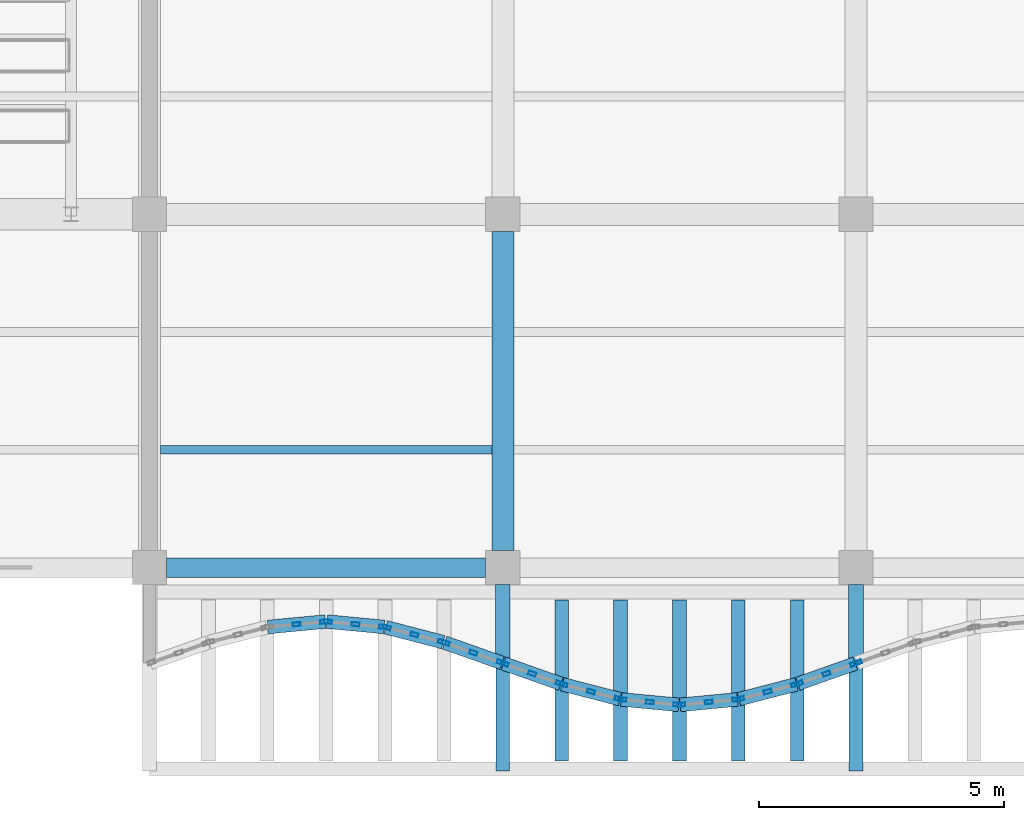
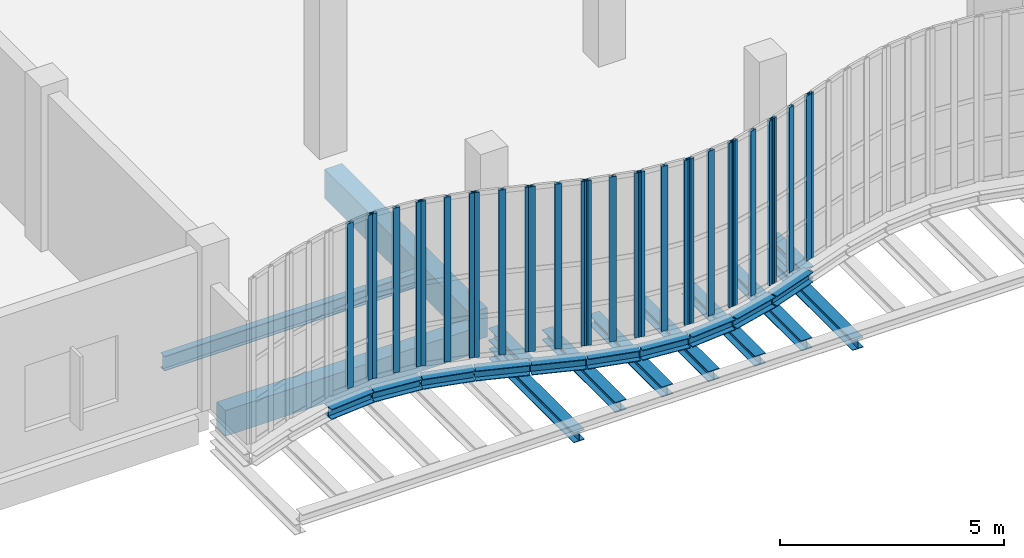
# One storey, part 13 of 108: 30 members, 22 beams, 11 elements without a shape of their own.
"""IFC4 building model written with IfcOpenShell, lengths in metres."""

from ifc_helpers import new_model, si_unit, direction, frame, origin, origin_2d, place, context, subcontext, project, spatial, rectangle, hollow_rectangle, i_section, extrude, material, layer, layer_set, material_profile, profile_set, type_object, element, aggregate, save


model = new_model("IFC4")

# Units and contexts
model_context = context("Model", 3, precision=1e-05, world=origin(), true_north=direction((0.0, 1.0)))
body_context = subcontext(model_context, "Body", "Model", "MODEL_VIEW")
ifc_project = project(units=[si_unit("LENGTHUNIT", "METRE"), si_unit("AREAUNIT", "SQUARE_METRE"), si_unit("VOLUMEUNIT", "CUBIC_METRE"), si_unit("PLANEANGLEUNIT", "RADIAN"), si_unit("MASSUNIT", "GRAM", prefix="KILO"), si_unit("THERMODYNAMICTEMPERATUREUNIT", "KELVIN"), si_unit("POWERUNIT", "WATT")], contexts=[model_context])

# Site, building, storey
site_placement = place(None, origin())
site = spatial("IfcSite", under=ifc_project, at=site_placement, CompositionType="ELEMENT")
building_placement = place(site_placement, origin())
building = spatial("IfcBuilding", under=site, at=building_placement, Name="Kaldorven Railside Theatre", CompositionType="ELEMENT")
storey_placement = place(building_placement, frame((0.0, 0.0, 5.39990234375)))
storey = spatial("IfcBuildingStorey", under=building, at=storey_placement, Name="L01", CompositionType="ELEMENT", Elevation=5.39990234375)

# Beams
ifc_material_1 = material(Name="Steel S355", Category="steel")
ifc_material_profile_1 = material_profile(ifc_material_1, i_section(OverallWidth=0.280029296875, OverallDepth=0.280029296875, WebThickness=0.010498046875, FlangeThickness=0.01806640625, at=origin_2d()), Name="HEB 280")
ifc_profile_set_1 = profile_set([ifc_material_profile_1], Name="Steel S355")
beam_type_1 = type_object("IfcBeamType", Name="BM-HEB280", PredefinedType="SPANDREL", material=ifc_profile_set_1)
for number, where, z_axis, x_axis, name in (
    (1, (44.0, 15.050048828125, -1.0), (0.0, 1.0, 0.0), (-1.0, 0.0, 0.0), "L01 Sinusoidal Lower Cantilever Girder FOB-K002"),
    (2, (51.199951171875, 15.050048828125, -1.0), (0.0, 1.0, 0.0), (-1.0, 0.0, 0.0), "L01 Sinusoidal Lower Cantilever Girder FOB-K003"),
):
    element("IfcBeam", number, at=place(storey_placement, frame(where, z_axis=z_axis, x_axis=x_axis)), inside=storey, type_object=beam_type_1, Name=name, PredefinedType="SPANDREL", context=body_context, shape_type="SweptSolid", body=[
        extrude(i_section(OverallWidth=0.280029296875, OverallDepth=0.280029296875, WebThickness=0.010498046875, FlangeThickness=0.01806640625, at=origin_2d()), origin(), (0.0, 0.0, 1.0), 3.800048828125),
    ])
beam_1_placement = place(storey_placement, frame((39.21484375, 17.987548828125, -0.43994140625), z_axis=(0.99552436473, 0.094505233873, 0.0), x_axis=(-0.094505233873, 0.99552436473, 0.0)))
element("IfcBeam", 3, at=beam_1_placement, inside=storey, type_object=beam_type_1, Name="L01 Sinusoidal Flute Edge Spandrel FSB-003", PredefinedType="SPANDREL", context=body_context, shape_type="SweptSolid", body=[
    extrude(i_section(OverallWidth=0.280029296875, OverallDepth=0.280029296875, WebThickness=0.010498046875, FlangeThickness=0.01806640625, at=origin_2d()), origin(), (0.0, 0.0, 1.0), 1.175537109375),
])
beam_2_placement = place(storey_placement, frame((40.414794921875, 18.0986328125, -0.43994140625), z_axis=(0.995526219207, -0.09448569665, 0.0), x_axis=(0.09448569665, 0.995526219207, 0.0)))
element("IfcBeam", 4, at=beam_2_placement, inside=storey, type_object=beam_type_1, Name="L01 Sinusoidal Flute Edge Spandrel FSB-004", PredefinedType="SPANDREL", context=body_context, shape_type="SweptSolid", body=[
    extrude(i_section(OverallWidth=0.280029296875, OverallDepth=0.280029296875, WebThickness=0.010498046875, FlangeThickness=0.01806640625, at=origin_2d()), origin(), (0.0, 0.0, 1.0), 1.17578125),
])
beam_3_placement = place(storey_placement, frame((41.614501953125, 17.982421875, -0.43994140625), z_axis=(0.967967836725, -0.251074226206, 0.0), x_axis=(0.251074226206, 0.967967836725, 0.0)))
element("IfcBeam", 5, at=beam_3_placement, inside=storey, type_object=beam_type_1, Name="L01 Sinusoidal Flute Edge Spandrel FSB-005", PredefinedType="SPANDREL", context=body_context, shape_type="SweptSolid", body=[
    extrude(i_section(OverallWidth=0.280029296875, OverallDepth=0.280029296875, WebThickness=0.010498046875, FlangeThickness=0.01806640625, at=origin_2d()), origin(), (0.0, 0.0, 1.0), 1.209716796875),
])
for number, where, z_axis, x_axis, name in (
    (6, (42.814208984375, 17.669921875, -0.43994140625), (0.942605331688, -0.333908952671, 0.0), (0.333908952671, 0.942605331688, 0.0), "L01 Sinusoidal Flute Edge Spandrel FSB-006"),
    (7, (44.01416015625, 17.2451171875, -0.43994140625), (0.942605331688, -0.333908952671, 0.0), (0.333908952671, 0.942605331688, 0.0), "L01 Sinusoidal Flute Edge Spandrel FSB-007"),
):
    element("IfcBeam", number, at=place(storey_placement, frame(where, z_axis=z_axis, x_axis=x_axis)), inside=storey, type_object=beam_type_1, Name=name, PredefinedType="SPANDREL", context=body_context, shape_type="SweptSolid", body=[
        extrude(i_section(OverallWidth=0.280029296875, OverallDepth=0.280029296875, WebThickness=0.010498046875, FlangeThickness=0.01806640625, at=origin_2d()), origin(), (0.0, 0.0, 1.0), 1.242919921875),
    ])
beam_4_placement = place(storey_placement, frame((45.214599609375, 16.8212890625, -0.43994140625), z_axis=(0.967967836725, -0.251074226206, 0.0), x_axis=(0.251074226206, 0.967967836725, 0.0)))
element("IfcBeam", 8, at=beam_4_placement, inside=storey, type_object=beam_type_1, Name="L01 Sinusoidal Flute Edge Spandrel FSB-008", PredefinedType="SPANDREL", context=body_context, shape_type="SweptSolid", body=[
    extrude(i_section(OverallWidth=0.280029296875, OverallDepth=0.280029296875, WebThickness=0.010498046875, FlangeThickness=0.01806640625, at=origin_2d()), origin(), (0.0, 0.0, 1.0), 1.209716796875),
])
beam_5_placement = place(storey_placement, frame((45.199951171875, 15.260009765625, -0.719970703125), z_axis=(0.0, 1.0, 0.0), x_axis=(-1.0, 0.0, 0.0)))
element("IfcBeam", 9, at=beam_5_placement, inside=storey, type_object=beam_type_1, Name="L01 Sinusoidal Diaphragm Rib Outrigger FOB-M008", PredefinedType="SPANDREL", context=body_context, shape_type="SweptSolid", body=[
    extrude(i_section(OverallWidth=0.280029296875, OverallDepth=0.280029296875, WebThickness=0.010498046875, FlangeThickness=0.01806640625, at=origin_2d()), origin(), (0.0, 0.0, 1.0), 3.280029296875),
])
beam_6_placement = place(storey_placement, frame((46.414794921875, 16.512451171875, -0.43994140625), z_axis=(0.995526219207, -0.09448569665, 0.0), x_axis=(0.09448569665, 0.995526219207, 0.0)))
element("IfcBeam", 10, at=beam_6_placement, inside=storey, type_object=beam_type_1, Name="L01 Sinusoidal Flute Edge Spandrel FSB-009", PredefinedType="SPANDREL", context=body_context, shape_type="SweptSolid", body=[
    extrude(i_section(OverallWidth=0.280029296875, OverallDepth=0.280029296875, WebThickness=0.010498046875, FlangeThickness=0.01806640625, at=origin_2d()), origin(), (0.0, 0.0, 1.0), 1.17578125),
])
beam_7_placement = place(storey_placement, frame((46.39990234375, 15.260009765625, -0.719970703125), z_axis=(0.0, 1.0, 0.0), x_axis=(-1.0, 0.0, 0.0)))
element("IfcBeam", 11, at=beam_7_placement, inside=storey, type_object=beam_type_1, Name="L01 Sinusoidal Diaphragm Rib Outrigger FOB-M009", PredefinedType="SPANDREL", context=body_context, shape_type="SweptSolid", body=[
    extrude(i_section(OverallWidth=0.280029296875, OverallDepth=0.280029296875, WebThickness=0.010498046875, FlangeThickness=0.01806640625, at=origin_2d()), origin(), (0.0, 0.0, 1.0), 3.280029296875),
])
beam_8_placement = place(storey_placement, frame((47.614990234375, 16.4013671875, -0.43994140625), z_axis=(0.99552436473, 0.094505233873, 0.0), x_axis=(-0.094505233873, 0.99552436473, 0.0)))
element("IfcBeam", 12, at=beam_8_placement, inside=storey, type_object=beam_type_1, Name="L01 Sinusoidal Flute Edge Spandrel FSB-010", PredefinedType="SPANDREL", context=body_context, shape_type="SweptSolid", body=[
    extrude(i_section(OverallWidth=0.280029296875, OverallDepth=0.280029296875, WebThickness=0.010498046875, FlangeThickness=0.01806640625, at=origin_2d()), origin(), (0.0, 0.0, 1.0), 1.175537109375),
])
beam_9_placement = place(storey_placement, frame((47.60009765625, 15.260009765625, -0.719970703125), z_axis=(0.0, 1.0, 0.0), x_axis=(-1.0, 0.0, 0.0)))
element("IfcBeam", 13, at=beam_9_placement, inside=storey, type_object=beam_type_1, Name="L01 Sinusoidal Diaphragm Rib Outrigger FOB-M010", PredefinedType="SPANDREL", context=body_context, shape_type="SweptSolid", body=[
    extrude(i_section(OverallWidth=0.280029296875, OverallDepth=0.280029296875, WebThickness=0.010498046875, FlangeThickness=0.01806640625, at=origin_2d()), origin(), (0.0, 0.0, 1.0), 3.280029296875),
])
beam_10_placement = place(storey_placement, frame((48.814453125, 16.517578125, -0.43994140625), z_axis=(0.967980555895, 0.25102518481, 0.0), x_axis=(-0.25102518481, 0.967980555895, 0.0)))
element("IfcBeam", 14, at=beam_10_placement, inside=storey, type_object=beam_type_1, Name="L01 Sinusoidal Flute Edge Spandrel FSB-011", PredefinedType="SPANDREL", context=body_context, shape_type="SweptSolid", body=[
    extrude(i_section(OverallWidth=0.280029296875, OverallDepth=0.280029296875, WebThickness=0.010498046875, FlangeThickness=0.01806640625, at=origin_2d()), origin(), (0.0, 0.0, 1.0), 1.2099609375),
])
beam_11_placement = place(storey_placement, frame((48.800048828125, 15.260009765625, -0.719970703125), z_axis=(0.0, 1.0, 0.0), x_axis=(-1.0, 0.0, 0.0)))
element("IfcBeam", 15, at=beam_11_placement, inside=storey, type_object=beam_type_1, Name="L01 Sinusoidal Diaphragm Rib Outrigger FOB-M011", PredefinedType="SPANDREL", context=body_context, shape_type="SweptSolid", body=[
    extrude(i_section(OverallWidth=0.280029296875, OverallDepth=0.280029296875, WebThickness=0.010498046875, FlangeThickness=0.01806640625, at=origin_2d()), origin(), (0.0, 0.0, 1.0), 3.280029296875),
])
beam_12_placement = place(storey_placement, frame((50.01416015625, 16.830078125, -0.43994140625), z_axis=(0.942605331688, 0.333908952671, 0.0), x_axis=(-0.333908952671, 0.942605331688, 0.0)))
element("IfcBeam", 16, at=beam_12_placement, inside=storey, type_object=beam_type_1, Name="L01 Sinusoidal Flute Edge Spandrel FSB-012", PredefinedType="SPANDREL", context=body_context, shape_type="SweptSolid", body=[
    extrude(i_section(OverallWidth=0.280029296875, OverallDepth=0.280029296875, WebThickness=0.010498046875, FlangeThickness=0.01806640625, at=origin_2d()), origin(), (0.0, 0.0, 1.0), 1.242919921875),
])
beam_13_placement = place(storey_placement, frame((50.0, 15.260009765625, -0.719970703125), z_axis=(0.0, 1.0, 0.0), x_axis=(-1.0, 0.0, 0.0)))
element("IfcBeam", 17, at=beam_13_placement, inside=storey, type_object=beam_type_1, Name="L01 Sinusoidal Diaphragm Rib Outrigger FOB-M012", PredefinedType="SPANDREL", context=body_context, shape_type="SweptSolid", body=[
    extrude(i_section(OverallWidth=0.280029296875, OverallDepth=0.280029296875, WebThickness=0.010498046875, FlangeThickness=0.01806640625, at=origin_2d()), origin(), (0.0, 0.0, 1.0), 3.280029296875),
])
ifc_material_profile_2 = material_profile(ifc_material_1, i_section(OverallWidth=0.300048828125, OverallDepth=0.340087890625, WebThickness=0.011962890625, FlangeThickness=0.021484375, at=origin_2d()), Name="HEB 340")
ifc_profile_set_2 = profile_set([ifc_material_profile_2], Name="Steel S355")
beam_type_2 = type_object("IfcBeamType", Name="BM-HEB340", PredefinedType="SPANDREL", material=ifc_profile_set_2)
for number, where, z_axis, x_axis, name in (
    (18, (44.0, 17.31005859375, -0.469970703125), (0.0, 1.0, 0.0), (-1.0, 0.0, 0.0), "L01 Sinusoidal Veil Outrigger FOB-1044"),
    (19, (51.199951171875, 17.31005859375, -0.469970703125), (0.0, 1.0, 0.0), (-1.0, 0.0, 0.0), "L01 Sinusoidal Veil Outrigger FOB-1051"),
):
    element("IfcBeam", number, at=place(storey_placement, frame(where, z_axis=z_axis, x_axis=x_axis)), inside=storey, type_object=beam_type_2, Name=name, PredefinedType="SPANDREL", context=body_context, shape_type="SweptSolid", body=[
        extrude(i_section(OverallWidth=0.300048828125, OverallDepth=0.340087890625, WebThickness=0.011962890625, FlangeThickness=0.021484375, at=origin_2d()), origin(), (0.0, 0.0, 1.0), 1.5400390625),
    ])
ifc_material_profile_3 = material_profile(ifc_material_1, i_section(OverallWidth=0.179931640625, OverallDepth=0.39990234375, WebThickness=0.008544921875, FlangeThickness=0.013427734375, at=origin_2d()), Name="IPE 400")
ifc_profile_set_3 = profile_set([ifc_material_profile_3], Name="Steel S355")
beam_type_3 = type_object("IfcBeamType", Name="BM-IPE400", PredefinedType="JOIST", material=ifc_profile_set_3)
beam_14_placement = place(storey_placement, frame((37.02490234375, 21.60009765625, -0.5), z_axis=(1.0, 0.0, 0.0), x_axis=(0.0, 1.0, 0.0)))
element("IfcBeam", 20, at=beam_14_placement, inside=storey, type_object=beam_type_3, Name="L01 Secondary Floor Joist JG-L01-036-0216", PredefinedType="JOIST", context=body_context, shape_type="SweptSolid", body=[
    extrude(i_section(OverallWidth=0.179931640625, OverallDepth=0.39990234375, WebThickness=0.008544921875, FlangeThickness=0.013427734375, at=origin_2d()), origin(), (0.0, 0.0, 1.0), 6.75),
])
ifc_material_2 = material(Name="Concrete C40/50", Category="concrete")
ifc_material_profile_4 = material_profile(ifc_material_2, rectangle(XDim=0.39990234375, YDim=0.699951171875, at=origin_2d()), Name="RC 400x700")
ifc_profile_set_4 = profile_set([ifc_material_profile_4], Name="Concrete C40/50")
beam_type_4 = type_object("IfcBeamType", Name="BM-RC400x700", PredefinedType="BEAM", material=ifc_profile_set_4)
beam_15_placement = place(storey_placement, frame((37.14990234375, 19.199951171875, -0.64990234375), z_axis=(1.0, 0.0, 0.0), x_axis=(0.0, 1.0, 0.0)))
element("IfcBeam", 21, at=beam_15_placement, inside=storey, type_object=beam_type_4, Name="L01 Girder BGX-L01-036-019", PredefinedType="BEAM", context=body_context, shape_type="SweptSolid", body=[
    extrude(rectangle(XDim=0.39990234375, YDim=0.699951171875, at=origin_2d()), origin(), (0.0, 0.0, 1.0), 6.5),
])
ifc_material_profile_5 = material_profile(ifc_material_2, rectangle(XDim=0.449951171875, YDim=0.800048828125, at=origin_2d()), Name="RC 450x800")
ifc_profile_set_5 = profile_set([ifc_material_profile_5], Name="Concrete C40/50")
beam_type_5 = type_object("IfcBeamType", Name="BM-RC450x800", PredefinedType="BEAM", material=ifc_profile_set_5)
beam_16_placement = place(storey_placement, frame((44.0, 19.550048828125, -0.699951171875), z_axis=(0.0, 1.0, 0.0), x_axis=(-1.0, 0.0, 0.0)))
element("IfcBeam", 22, at=beam_16_placement, inside=storey, type_object=beam_type_5, Name="L01 Girder BGY-L01-044-019-72", PredefinedType="BEAM", context=body_context, shape_type="SweptSolid", body=[
    extrude(rectangle(XDim=0.449951171875, YDim=0.800048828125, at=origin_2d()), origin(), (0.0, 0.0, 1.0), 6.5),
])

# Curtain wall, members
ifc_material_3 = material(Name="Low-E laminated solar-control glass", Category="glass")
ifc_layer_1 = layer(ifc_material_3, 0.159912109375, Name="Low-E laminated solar-control glass")
ifc_layer_set_1 = layer_set([ifc_layer_1], Name="Low-E laminated solar-control glass")
curtain_wall_type_1 = type_object("IfcCurtainWallType", Name="CWT-03", PredefinedType="USERDEFINED", material=ifc_layer_set_1)
curtain_wall_1_placement = place(storey_placement, origin())
curtain_wall_1 = element("IfcCurtainWall", 23, at=curtain_wall_1_placement, inside=storey, type_object=curtain_wall_type_1, Name="Sinusoidal Fluted Curtain Wall CW-L01-S03", ObjectType="FLUTED GLAZING", PredefinedType="USERDEFINED")
ifc_material_4 = material(Name="Anodised bronze aluminium", Category="aluminium")
ifc_material_profile_6 = material_profile(ifc_material_4, hollow_rectangle(XDim=0.080078125, YDim=0.159912109375, WallThickness=0.00634765625, at=origin_2d()), Name="RHS 160x80x6.3")
ifc_profile_set_6 = profile_set([ifc_material_profile_6], Name="Anodised bronze aluminium")
member_type = type_object("IfcMemberType", Name="CWM-160", PredefinedType="MULLION", material=ifc_profile_set_6)
member_1_placement = place(storey_placement, frame((39.800048828125, 18.04296875, 0.0), z_axis=(0.0, 0.0, 1.0), x_axis=(-0.094491973758, 0.995525623425, 0.0)))
member_1 = element("IfcMember", 24, at=member_1_placement, type_object=member_type, Name="CW-L01-S03 mullion 2", PredefinedType="MULLION", context=body_context, shape_type="SweptSolid", body=[
    extrude(hollow_rectangle(XDim=0.080078125, YDim=0.159912109375, WallThickness=0.00634765625, at=origin_2d()), origin(), (0.0, 0.0, 1.0), 4.5),
])
member_2_placement = place(storey_placement, frame((40.360107421875, 18.09619140625, 0.0), z_axis=(0.0, 0.0, 1.0), x_axis=(-0.094491973758, 0.995525623425, 0.0)))
member_2 = element("IfcMember", 25, at=member_2_placement, type_object=member_type, Name="CW-L01-S03 mullion 3", PredefinedType="MULLION", context=body_context, shape_type="SweptSolid", body=[
    extrude(hollow_rectangle(XDim=0.080078125, YDim=0.159912109375, WallThickness=0.00634765625, at=origin_2d()), origin(), (0.0, 0.0, 1.0), 4.5),
])
aggregate(curtain_wall_1, [member_1, member_2])

curtain_wall_2_placement = place(storey_placement, origin())
curtain_wall_2 = element("IfcCurtainWall", 26, at=curtain_wall_2_placement, inside=storey, type_object=curtain_wall_type_1, Name="Sinusoidal Fluted Curtain Wall CW-L01-S04", ObjectType="FLUTED GLAZING", PredefinedType="USERDEFINED")
member_3_placement = place(storey_placement, frame((40.43994140625, 18.09619140625, 0.0), z_axis=(0.0, 0.0, 1.0), x_axis=(0.094491973758, 0.995525623425, 0.0)))
member_3 = element("IfcMember", 27, at=member_3_placement, type_object=member_type, Name="CW-L01-S04 mullion 1", PredefinedType="MULLION", context=body_context, shape_type="SweptSolid", body=[
    extrude(hollow_rectangle(XDim=0.080078125, YDim=0.159912109375, WallThickness=0.00634765625, at=origin_2d()), origin(), (0.0, 0.0, 1.0), 4.5),
])
member_4_placement = place(storey_placement, frame((41.0, 18.04296875, 0.0), z_axis=(0.0, 0.0, 1.0), x_axis=(0.094491973758, 0.995525623425, 0.0)))
member_4 = element("IfcMember", 28, at=member_4_placement, type_object=member_type, Name="CW-L01-S04 mullion 2", PredefinedType="MULLION", context=body_context, shape_type="SweptSolid", body=[
    extrude(hollow_rectangle(XDim=0.080078125, YDim=0.159912109375, WallThickness=0.00634765625, at=origin_2d()), origin(), (0.0, 0.0, 1.0), 4.5),
])
member_5_placement = place(storey_placement, frame((41.56005859375, 17.989990234375, 0.0), z_axis=(0.0, 0.0, 1.0), x_axis=(0.094491973758, 0.995525623425, 0.0)))
member_5 = element("IfcMember", 29, at=member_5_placement, type_object=member_type, Name="CW-L01-S04 mullion 3", PredefinedType="MULLION", context=body_context, shape_type="SweptSolid", body=[
    extrude(hollow_rectangle(XDim=0.080078125, YDim=0.159912109375, WallThickness=0.00634765625, at=origin_2d()), origin(), (0.0, 0.0, 1.0), 4.5),
])
aggregate(curtain_wall_2, [member_3, member_4, member_5])

ifc_layer_2 = layer(ifc_material_3, 0.159912109375, Name="Low-E laminated solar-control glass")
ifc_layer_set_2 = layer_set([ifc_layer_2], Name="Low-E laminated solar-control glass")
curtain_wall_type_2 = type_object("IfcCurtainWallType", Name="CWT-02", PredefinedType="USERDEFINED", material=ifc_layer_set_2)
curtain_wall_3_placement = place(storey_placement, origin())
curtain_wall_3 = element("IfcCurtainWall", 30, at=curtain_wall_3_placement, inside=storey, type_object=curtain_wall_type_2, Name="Sinusoidal Fluted Curtain Wall CW-L01-S05", ObjectType="FLUTED GLAZING", PredefinedType="USERDEFINED")
member_6_placement = place(storey_placement, frame((41.638671875, 17.97607421875, 0.0), z_axis=(0.0, 0.0, 1.0), x_axis=(0.250953760326, 0.967999075505, 0.0)))
member_6 = element("IfcMember", 31, at=member_6_placement, type_object=member_type, Name="CW-L01-S05 mullion 1", PredefinedType="MULLION", context=body_context, shape_type="SweptSolid", body=[
    extrude(hollow_rectangle(XDim=0.080078125, YDim=0.159912109375, WallThickness=0.00634765625, at=origin_2d()), origin(), (0.0, 0.0, 1.0), 4.5),
])
member_7_placement = place(storey_placement, frame((42.199951171875, 17.83056640625, 0.0), z_axis=(0.0, 0.0, 1.0), x_axis=(0.250953760326, 0.967999075505, 0.0)))
member_7 = element("IfcMember", 32, at=member_7_placement, type_object=member_type, Name="CW-L01-S05 mullion 2", PredefinedType="MULLION", context=body_context, shape_type="SweptSolid", body=[
    extrude(hollow_rectangle(XDim=0.080078125, YDim=0.159912109375, WallThickness=0.00634765625, at=origin_2d()), origin(), (0.0, 0.0, 1.0), 4.5),
])
member_8_placement = place(storey_placement, frame((42.76123046875, 17.68505859375, 0.0), z_axis=(0.0, 0.0, 1.0), x_axis=(0.250953760326, 0.967999075505, 0.0)))
member_8 = element("IfcMember", 33, at=member_8_placement, type_object=member_type, Name="CW-L01-S05 mullion 3", PredefinedType="MULLION", context=body_context, shape_type="SweptSolid", body=[
    extrude(hollow_rectangle(XDim=0.080078125, YDim=0.159912109375, WallThickness=0.00634765625, at=origin_2d()), origin(), (0.0, 0.0, 1.0), 4.5),
])
aggregate(curtain_wall_3, [member_6, member_7, member_8])

ifc_layer_3 = layer(ifc_material_3, 0.159912109375, Name="Low-E laminated solar-control glass")
ifc_layer_set_3 = layer_set([ifc_layer_3], Name="Low-E laminated solar-control glass")
curtain_wall_type_3 = type_object("IfcCurtainWallType", Name="CWT-01", PredefinedType="USERDEFINED", material=ifc_layer_set_3)
curtain_wall_4_placement = place(storey_placement, origin())
curtain_wall_4 = element("IfcCurtainWall", 34, at=curtain_wall_4_placement, inside=storey, type_object=curtain_wall_type_3, Name="Sinusoidal Fluted Curtain Wall CW-L01-S06", ObjectType="FLUTED GLAZING", PredefinedType="USERDEFINED")
member_9_placement = place(storey_placement, frame((42.837646484375, 17.66162109375, 0.0), z_axis=(0.0, 0.0, 1.0), x_axis=(0.33384714225, 0.942627225159, 0.0)))
member_9 = element("IfcMember", 35, at=member_9_placement, type_object=member_type, Name="CW-L01-S06 mullion 1", PredefinedType="MULLION", context=body_context, shape_type="SweptSolid", body=[
    extrude(hollow_rectangle(XDim=0.080078125, YDim=0.159912109375, WallThickness=0.00634765625, at=origin_2d()), origin(), (0.0, 0.0, 1.0), 4.5),
])
member_10_placement = place(storey_placement, frame((43.39990234375, 17.46240234375, 0.0), z_axis=(0.0, 0.0, 1.0), x_axis=(0.33384714225, 0.942627225159, 0.0)))
member_10 = element("IfcMember", 36, at=member_10_placement, type_object=member_type, Name="CW-L01-S06 mullion 2", PredefinedType="MULLION", context=body_context, shape_type="SweptSolid", body=[
    extrude(hollow_rectangle(XDim=0.080078125, YDim=0.159912109375, WallThickness=0.00634765625, at=origin_2d()), origin(), (0.0, 0.0, 1.0), 4.5),
])
member_11_placement = place(storey_placement, frame((43.96240234375, 17.263427734375, 0.0), z_axis=(0.0, 0.0, 1.0), x_axis=(0.33384714225, 0.942627225159, 0.0)))
member_11 = element("IfcMember", 37, at=member_11_placement, type_object=member_type, Name="CW-L01-S06 mullion 3", PredefinedType="MULLION", context=body_context, shape_type="SweptSolid", body=[
    extrude(hollow_rectangle(XDim=0.080078125, YDim=0.159912109375, WallThickness=0.00634765625, at=origin_2d()), origin(), (0.0, 0.0, 1.0), 4.5),
])
aggregate(curtain_wall_4, [member_9, member_10, member_11])

curtain_wall_5_placement = place(storey_placement, origin())
curtain_wall_5 = element("IfcCurtainWall", 38, at=curtain_wall_5_placement, inside=storey, type_object=curtain_wall_type_3, Name="Sinusoidal Fluted Curtain Wall CW-L01-S07", ObjectType="FLUTED GLAZING", PredefinedType="USERDEFINED")
member_12_placement = place(storey_placement, frame((44.03759765625, 17.236572265625, 0.0), z_axis=(0.0, 0.0, 1.0), x_axis=(0.33384714225, 0.942627225159, 0.0)))
member_12 = element("IfcMember", 39, at=member_12_placement, type_object=member_type, Name="CW-L01-S07 mullion 1", PredefinedType="MULLION", context=body_context, shape_type="SweptSolid", body=[
    extrude(hollow_rectangle(XDim=0.080078125, YDim=0.159912109375, WallThickness=0.00634765625, at=origin_2d()), origin(), (0.0, 0.0, 1.0), 4.5),
])
member_13_placement = place(storey_placement, frame((44.60009765625, 17.03759765625, 0.0), z_axis=(0.0, 0.0, 1.0), x_axis=(0.33384714225, 0.942627225159, 0.0)))
member_13 = element("IfcMember", 40, at=member_13_placement, type_object=member_type, Name="CW-L01-S07 mullion 2", PredefinedType="MULLION", context=body_context, shape_type="SweptSolid", body=[
    extrude(hollow_rectangle(XDim=0.080078125, YDim=0.159912109375, WallThickness=0.00634765625, at=origin_2d()), origin(), (0.0, 0.0, 1.0), 4.5),
])
member_14_placement = place(storey_placement, frame((45.162353515625, 16.83837890625, 0.0), z_axis=(0.0, 0.0, 1.0), x_axis=(0.33384714225, 0.942627225159, 0.0)))
member_14 = element("IfcMember", 41, at=member_14_placement, type_object=member_type, Name="CW-L01-S07 mullion 3", PredefinedType="MULLION", context=body_context, shape_type="SweptSolid", body=[
    extrude(hollow_rectangle(XDim=0.080078125, YDim=0.159912109375, WallThickness=0.00634765625, at=origin_2d()), origin(), (0.0, 0.0, 1.0), 4.5),
])
aggregate(curtain_wall_5, [member_12, member_13, member_14])

curtain_wall_6_placement = place(storey_placement, origin())
curtain_wall_6 = element("IfcCurtainWall", 42, at=curtain_wall_6_placement, inside=storey, type_object=curtain_wall_type_2, Name="Sinusoidal Fluted Curtain Wall CW-L01-S08", ObjectType="FLUTED GLAZING", PredefinedType="USERDEFINED")
member_15_placement = place(storey_placement, frame((45.23876953125, 16.81494140625, 0.0), z_axis=(0.0, 0.0, 1.0), x_axis=(0.250953760326, 0.967999075505, 0.0)))
member_15 = element("IfcMember", 43, at=member_15_placement, type_object=member_type, Name="CW-L01-S08 mullion 1", PredefinedType="MULLION", context=body_context, shape_type="SweptSolid", body=[
    extrude(hollow_rectangle(XDim=0.080078125, YDim=0.159912109375, WallThickness=0.00634765625, at=origin_2d()), origin(), (0.0, 0.0, 1.0), 4.5),
])
member_16_placement = place(storey_placement, frame((45.800048828125, 16.66943359375, 0.0), z_axis=(0.0, 0.0, 1.0), x_axis=(0.250953760326, 0.967999075505, 0.0)))
member_16 = element("IfcMember", 44, at=member_16_placement, type_object=member_type, Name="CW-L01-S08 mullion 2", PredefinedType="MULLION", context=body_context, shape_type="SweptSolid", body=[
    extrude(hollow_rectangle(XDim=0.080078125, YDim=0.159912109375, WallThickness=0.00634765625, at=origin_2d()), origin(), (0.0, 0.0, 1.0), 4.5),
])
member_17_placement = place(storey_placement, frame((46.361328125, 16.52392578125, 0.0), z_axis=(0.0, 0.0, 1.0), x_axis=(0.250953760326, 0.967999075505, 0.0)))
member_17 = element("IfcMember", 45, at=member_17_placement, type_object=member_type, Name="CW-L01-S08 mullion 3", PredefinedType="MULLION", context=body_context, shape_type="SweptSolid", body=[
    extrude(hollow_rectangle(XDim=0.080078125, YDim=0.159912109375, WallThickness=0.00634765625, at=origin_2d()), origin(), (0.0, 0.0, 1.0), 4.5),
])
aggregate(curtain_wall_6, [member_15, member_16, member_17])

curtain_wall_7_placement = place(storey_placement, origin())
curtain_wall_7 = element("IfcCurtainWall", 46, at=curtain_wall_7_placement, inside=storey, type_object=curtain_wall_type_1, Name="Sinusoidal Fluted Curtain Wall CW-L01-S09", ObjectType="FLUTED GLAZING", PredefinedType="USERDEFINED")
member_18_placement = place(storey_placement, frame((46.43994140625, 16.510009765625, 0.0), z_axis=(0.0, 0.0, 1.0), x_axis=(0.094491973758, 0.995525623425, 0.0)))
member_18 = element("IfcMember", 47, at=member_18_placement, type_object=member_type, Name="CW-L01-S09 mullion 1", PredefinedType="MULLION", context=body_context, shape_type="SweptSolid", body=[
    extrude(hollow_rectangle(XDim=0.080078125, YDim=0.159912109375, WallThickness=0.00634765625, at=origin_2d()), origin(), (0.0, 0.0, 1.0), 4.5),
])
member_19_placement = place(storey_placement, frame((47.0, 16.45703125, 0.0), z_axis=(0.0, 0.0, 1.0), x_axis=(0.094491973758, 0.995525623425, 0.0)))
member_19 = element("IfcMember", 48, at=member_19_placement, type_object=member_type, Name="CW-L01-S09 mullion 2", PredefinedType="MULLION", context=body_context, shape_type="SweptSolid", body=[
    extrude(hollow_rectangle(XDim=0.080078125, YDim=0.159912109375, WallThickness=0.00634765625, at=origin_2d()), origin(), (0.0, 0.0, 1.0), 4.5),
])
member_20_placement = place(storey_placement, frame((47.56005859375, 16.40380859375, 0.0), z_axis=(0.0, 0.0, 1.0), x_axis=(0.094491973758, 0.995525623425, 0.0)))
member_20 = element("IfcMember", 49, at=member_20_placement, type_object=member_type, Name="CW-L01-S09 mullion 3", PredefinedType="MULLION", context=body_context, shape_type="SweptSolid", body=[
    extrude(hollow_rectangle(XDim=0.080078125, YDim=0.159912109375, WallThickness=0.00634765625, at=origin_2d()), origin(), (0.0, 0.0, 1.0), 4.5),
])
aggregate(curtain_wall_7, [member_18, member_19, member_20])

curtain_wall_8_placement = place(storey_placement, origin())
curtain_wall_8 = element("IfcCurtainWall", 50, at=curtain_wall_8_placement, inside=storey, type_object=curtain_wall_type_1, Name="Sinusoidal Fluted Curtain Wall CW-L01-S10", ObjectType="FLUTED GLAZING", PredefinedType="USERDEFINED")
member_21_placement = place(storey_placement, frame((47.639892578125, 16.40380859375, 0.0), z_axis=(0.0, 0.0, 1.0), x_axis=(-0.094491973758, 0.995525623425, 0.0)))
member_21 = element("IfcMember", 51, at=member_21_placement, type_object=member_type, Name="CW-L01-S10 mullion 1", PredefinedType="MULLION", context=body_context, shape_type="SweptSolid", body=[
    extrude(hollow_rectangle(XDim=0.080078125, YDim=0.159912109375, WallThickness=0.00634765625, at=origin_2d()), origin(), (0.0, 0.0, 1.0), 4.5),
])
member_22_placement = place(storey_placement, frame((48.199951171875, 16.45703125, 0.0), z_axis=(0.0, 0.0, 1.0), x_axis=(-0.094491973758, 0.995525623425, 0.0)))
member_22 = element("IfcMember", 52, at=member_22_placement, type_object=member_type, Name="CW-L01-S10 mullion 2", PredefinedType="MULLION", context=body_context, shape_type="SweptSolid", body=[
    extrude(hollow_rectangle(XDim=0.080078125, YDim=0.159912109375, WallThickness=0.00634765625, at=origin_2d()), origin(), (0.0, 0.0, 1.0), 4.5),
])
member_23_placement = place(storey_placement, frame((48.76025390625, 16.510009765625, 0.0), z_axis=(0.0, 0.0, 1.0), x_axis=(-0.094491973758, 0.995525623425, 0.0)))
member_23 = element("IfcMember", 53, at=member_23_placement, type_object=member_type, Name="CW-L01-S10 mullion 3", PredefinedType="MULLION", context=body_context, shape_type="SweptSolid", body=[
    extrude(hollow_rectangle(XDim=0.080078125, YDim=0.159912109375, WallThickness=0.00634765625, at=origin_2d()), origin(), (0.0, 0.0, 1.0), 4.5),
])
aggregate(curtain_wall_8, [member_21, member_22, member_23])

curtain_wall_9_placement = place(storey_placement, origin())
curtain_wall_9 = element("IfcCurtainWall", 54, at=curtain_wall_9_placement, inside=storey, type_object=curtain_wall_type_2, Name="Sinusoidal Fluted Curtain Wall CW-L01-S11", ObjectType="FLUTED GLAZING", PredefinedType="USERDEFINED")
member_24_placement = place(storey_placement, frame((48.838623046875, 16.52392578125, 0.0), z_axis=(0.0, 0.0, 1.0), x_axis=(-0.250953760326, 0.967999075505, 0.0)))
member_24 = element("IfcMember", 55, at=member_24_placement, type_object=member_type, Name="CW-L01-S11 mullion 1", PredefinedType="MULLION", context=body_context, shape_type="SweptSolid", body=[
    extrude(hollow_rectangle(XDim=0.080078125, YDim=0.159912109375, WallThickness=0.00634765625, at=origin_2d()), origin(), (0.0, 0.0, 1.0), 4.5),
])
member_25_placement = place(storey_placement, frame((49.39990234375, 16.66943359375, 0.0), z_axis=(0.0, 0.0, 1.0), x_axis=(-0.250953760326, 0.967999075505, 0.0)))
member_25 = element("IfcMember", 56, at=member_25_placement, type_object=member_type, Name="CW-L01-S11 mullion 2", PredefinedType="MULLION", context=body_context, shape_type="SweptSolid", body=[
    extrude(hollow_rectangle(XDim=0.080078125, YDim=0.159912109375, WallThickness=0.00634765625, at=origin_2d()), origin(), (0.0, 0.0, 1.0), 4.5),
])
member_26_placement = place(storey_placement, frame((49.961181640625, 16.81494140625, 0.0), z_axis=(0.0, 0.0, 1.0), x_axis=(-0.250953760326, 0.967999075505, 0.0)))
member_26 = element("IfcMember", 57, at=member_26_placement, type_object=member_type, Name="CW-L01-S11 mullion 3", PredefinedType="MULLION", context=body_context, shape_type="SweptSolid", body=[
    extrude(hollow_rectangle(XDim=0.080078125, YDim=0.159912109375, WallThickness=0.00634765625, at=origin_2d()), origin(), (0.0, 0.0, 1.0), 4.5),
])
aggregate(curtain_wall_9, [member_24, member_25, member_26])

curtain_wall_10_placement = place(storey_placement, origin())
curtain_wall_10 = element("IfcCurtainWall", 58, at=curtain_wall_10_placement, inside=storey, type_object=curtain_wall_type_3, Name="Sinusoidal Fluted Curtain Wall CW-L01-S12", ObjectType="FLUTED GLAZING", PredefinedType="USERDEFINED")
member_27_placement = place(storey_placement, frame((50.03759765625, 16.83837890625, 0.0), z_axis=(0.0, 0.0, 1.0), x_axis=(-0.33384714225, 0.942627225159, 0.0)))
member_27 = element("IfcMember", 59, at=member_27_placement, type_object=member_type, Name="CW-L01-S12 mullion 1", PredefinedType="MULLION", context=body_context, shape_type="SweptSolid", body=[
    extrude(hollow_rectangle(XDim=0.080078125, YDim=0.159912109375, WallThickness=0.00634765625, at=origin_2d()), origin(), (0.0, 0.0, 1.0), 4.5),
])
member_28_placement = place(storey_placement, frame((50.60009765625, 17.03759765625, 0.0), z_axis=(0.0, 0.0, 1.0), x_axis=(-0.33384714225, 0.942627225159, 0.0)))
member_28 = element("IfcMember", 60, at=member_28_placement, type_object=member_type, Name="CW-L01-S12 mullion 2", PredefinedType="MULLION", context=body_context, shape_type="SweptSolid", body=[
    extrude(hollow_rectangle(XDim=0.080078125, YDim=0.159912109375, WallThickness=0.00634765625, at=origin_2d()), origin(), (0.0, 0.0, 1.0), 4.5),
])
member_29_placement = place(storey_placement, frame((51.162353515625, 17.236572265625, 0.0), z_axis=(0.0, 0.0, 1.0), x_axis=(-0.33384714225, 0.942627225159, 0.0)))
member_29 = element("IfcMember", 61, at=member_29_placement, type_object=member_type, Name="CW-L01-S12 mullion 3", PredefinedType="MULLION", context=body_context, shape_type="SweptSolid", body=[
    extrude(hollow_rectangle(XDim=0.080078125, YDim=0.159912109375, WallThickness=0.00634765625, at=origin_2d()), origin(), (0.0, 0.0, 1.0), 4.5),
])
aggregate(curtain_wall_10, [member_27, member_28, member_29])

# Curtain wall, member
curtain_wall_11_placement = place(storey_placement, origin())
curtain_wall_11 = element("IfcCurtainWall", 62, at=curtain_wall_11_placement, inside=storey, type_object=curtain_wall_type_3, Name="Sinusoidal Fluted Curtain Wall CW-L01-S13", ObjectType="FLUTED GLAZING", PredefinedType="USERDEFINED")
member_30_placement = place(storey_placement, frame((51.23779296875, 17.263427734375, 0.0), z_axis=(0.0, 0.0, 1.0), x_axis=(-0.33384714225, 0.942627225159, 0.0)))
member_30 = element("IfcMember", 63, at=member_30_placement, type_object=member_type, Name="CW-L01-S13 mullion 1", PredefinedType="MULLION", context=body_context, shape_type="SweptSolid", body=[
    extrude(hollow_rectangle(XDim=0.080078125, YDim=0.159912109375, WallThickness=0.00634765625, at=origin_2d()), origin(), (0.0, 0.0, 1.0), 4.5),
])
aggregate(curtain_wall_11, [member_30])

save(model, "model.ifc")
